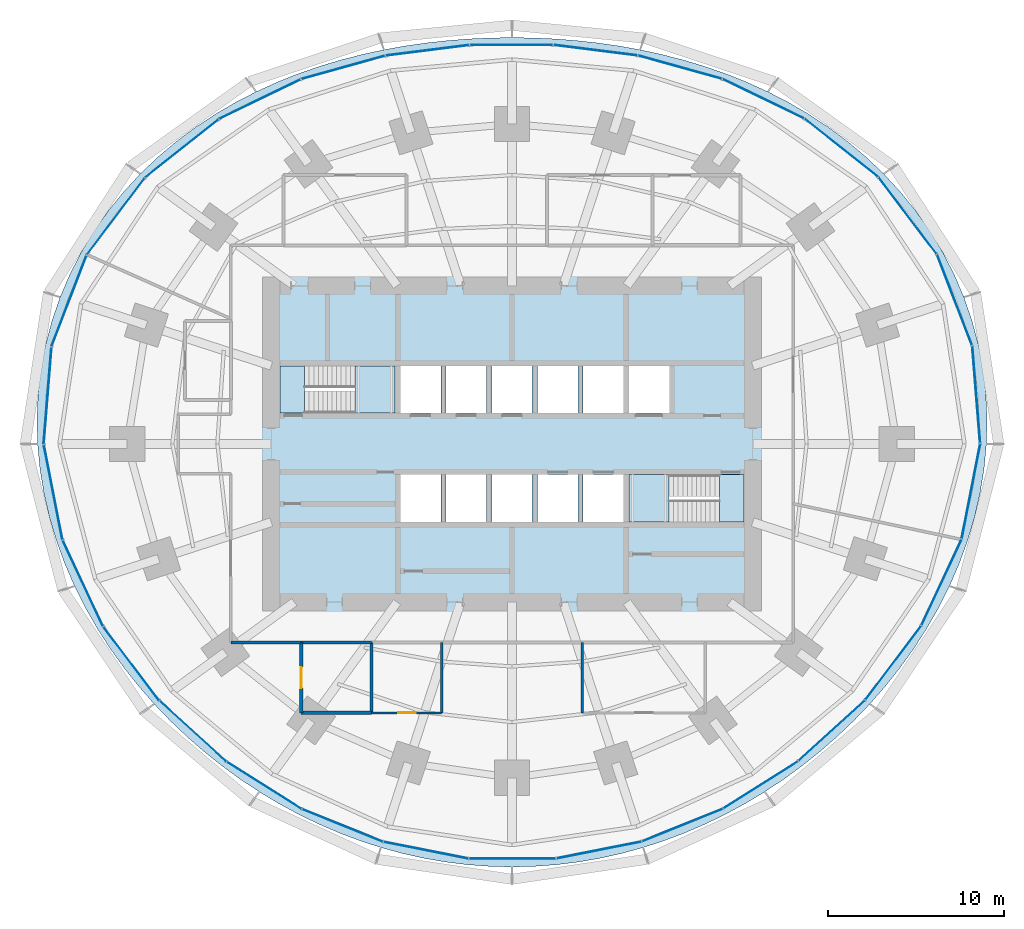
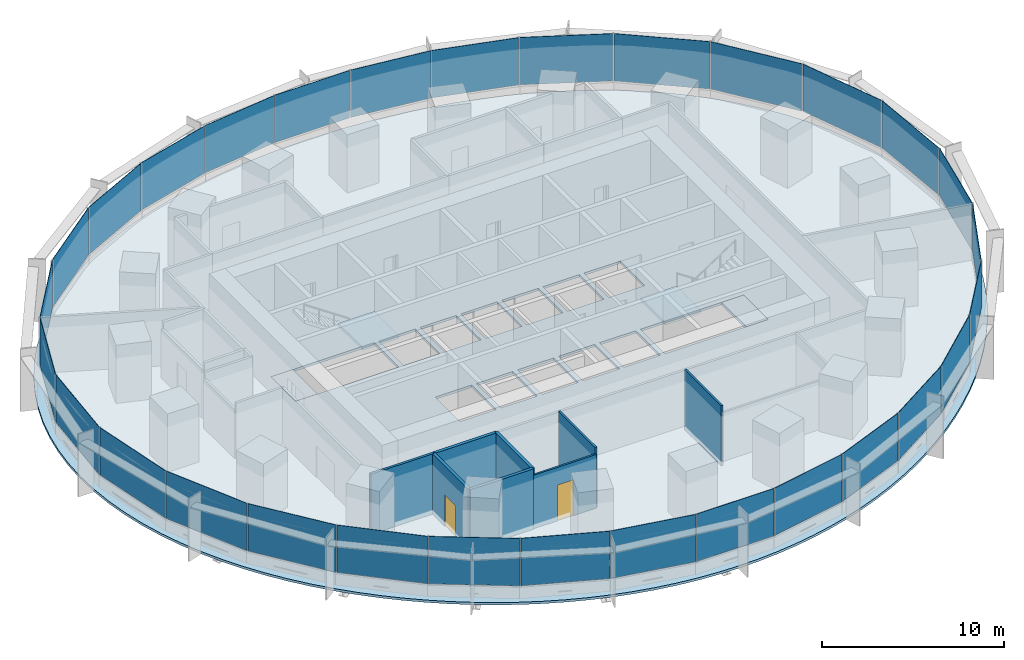
# One storey, part 10 of 15: 30 plates, 8 walls, 5 slabs, 2 doors, 2 openings, 8 elements without a shape of their own.
"""IFC4 building model written with IfcOpenShell, lengths in metres."""

from ifc_helpers import new_model, si_unit, direction, frame, frame_2d, origin, origin_2d, place, context, subcontext, project, spatial, polyline, rectangle, outline, extrude, material, layer, layer_set, type_object, element, fill, aggregate, save


model = new_model("IFC4")

# Units and contexts
model_context = context("Model", 3, precision=1e-05, world=origin(), true_north=direction((0.0, 1.0)))
body_context = subcontext(model_context, "Body", "Model", "MODEL_VIEW")
ifc_project = project(units=[si_unit("LENGTHUNIT", "METRE"), si_unit("AREAUNIT", "SQUARE_METRE"), si_unit("VOLUMEUNIT", "CUBIC_METRE"), si_unit("PLANEANGLEUNIT", "RADIAN"), si_unit("MASSUNIT", "GRAM", prefix="KILO")], contexts=[model_context])

# Site, building, storey
site_placement = place(None, origin())
site = spatial("IfcSite", under=ifc_project, at=site_placement, CompositionType="ELEMENT")
building_placement = place(site_placement, origin())
building = spatial("IfcBuilding", under=site, at=building_placement, Name="Marramba Exchange Tower", CompositionType="ELEMENT")
storey_placement = place(building_placement, frame((0.0, 0.0, 36.39990234375)))
storey = spatial("IfcBuildingStorey", under=building, at=storey_placement, Name="L08", CompositionType="ELEMENT", Elevation=36.39990234375)

# Slab
ifc_material_1 = material(Name="Concrete N40", Category="concrete")
ifc_layer_1 = layer(ifc_material_1, 0.159912109375)
ifc_layer_set_1 = layer_set([ifc_layer_1], Name="Composite floor slab 160")
slab_type_1 = type_object("IfcSlabType", Name="Composite floor slab 160", PredefinedType="FLOOR", material=ifc_layer_set_1)
slab_1_placement = place(storey_placement, frame((0.0, 0.0, -0.159912109375)))
element("IfcSlab", 1, at=slab_1_placement, inside=storey, type_object=slab_type_1, Name="Floor slab L08", PredefinedType="FLOOR", context=body_context, shape_type="SweptSolid", body=[
    extrude(outline(polyline([(27.0, 0.0), (27.035888671875, 1.4169921875), (26.97265625, 2.8349609375), (26.80859375, 4.24609375), (26.5439453125, 5.64208984375), (26.179443359375, 7.0146484375), (25.717529296875, 8.356201171875), (25.16162109375, 9.65869140625), (24.516357421875, 10.915283203125), (23.786865234375, 12.1201171875), (22.9794921875, 13.267333984375), (22.10107421875, 14.3525390625), (21.158447265625, 15.37255859375), (20.159423828125, 16.32470703125), (19.11083984375, 17.20751953125), (18.020263671875, 18.020263671875), (16.89453125, 18.763427734375), (15.740478515625, 19.437744140625), (14.563720703125, 20.04541015625), (13.3701171875, 20.588134765625), (12.164306640625, 21.069091796875), (10.9501953125, 21.4912109375), (9.7314453125, 21.857421875), (8.5107421875, 22.1708984375), (7.289794921875, 22.435302734375), (6.06982421875, 22.6533203125), (4.85205078125, 22.827392578125), (3.636474609375, 22.96044921875), (2.423095703125, 23.053955078125), (1.211181640625, 23.109619140625), (0.0, 23.1279296875), (-1.211181640625, 23.109619140625), (-2.423095703125, 23.053955078125), (-3.636474609375, 22.96044921875), (-4.85205078125, 22.827392578125), (-6.06982421875, 22.6533203125), (-7.289794921875, 22.435302734375), (-8.5107421875, 22.1708984375), (-9.7314453125, 21.857421875), (-10.9501953125, 21.4912109375), (-12.164306640625, 21.069091796875), (-13.3701171875, 20.588134765625), (-14.563720703125, 20.04541015625), (-15.740478515625, 19.437744140625), (-16.89453125, 18.763427734375), (-18.020263671875, 18.020263671875), (-19.11083984375, 17.20751953125), (-20.159423828125, 16.32470703125), (-21.158447265625, 15.37255859375), (-22.10107421875, 14.3525390625), (-22.9794921875, 13.267333984375), (-23.786865234375, 12.1201171875), (-24.516357421875, 10.915283203125), (-25.16162109375, 9.65869140625), (-25.717529296875, 8.356201171875), (-26.179443359375, 7.0146484375), (-26.5439453125, 5.64208984375), (-26.80859375, 4.24609375), (-26.97265625, 2.8349609375), (-27.035888671875, 1.4169921875), (-27.0, 0.0), (-26.8671875, -1.407958984375), (-26.64111328125, -2.800048828125), (-26.326171875, -4.169677734375), (-25.927001953125, -5.510986328125), (-25.44921875, -6.819091796875), (-24.8984375, -8.090087890625), (-24.280517578125, -9.320556640625), (-23.60107421875, -10.5078125), (-22.865234375, -11.650390625), (-22.078369140625, -12.7470703125), (-21.244873046875, -13.796630859375), (-20.36865234375, -14.798583984375), (-19.453369140625, -15.753173828125), (-18.502197265625, -16.659423828125), (-17.517578125, -17.517578125), (-16.501953125, -18.327392578125), (-15.457275390625, -19.088134765625), (-14.385009765625, -19.799072265625), (-13.286865234375, -20.459716796875), (-12.164306640625, -21.069091796875), (-11.01904296875, -21.6259765625), (-9.8525390625, -22.129150390625), (-8.66650390625, -22.577392578125), (-7.463134765625, -22.968994140625), (-6.244140625, -23.30322265625), (-5.01171875, -23.578369140625), (-3.7685546875, -23.793701171875), (-2.51708984375, -23.947998046875), (-1.260009765625, -24.041015625), (0.0, -24.072021484375), (1.260009765625, -24.041015625), (2.51708984375, -23.947998046875), (3.7685546875, -23.793701171875), (5.01171875, -23.578369140625), (6.244140625, -23.30322265625), (7.463134765625, -22.968994140625), (8.66650390625, -22.577392578125), (9.8525390625, -22.129150390625), (11.01904296875, -21.6259765625), (12.164306640625, -21.069091796875), (13.286865234375, -20.459716796875), (14.385009765625, -19.799072265625), (15.457275390625, -19.088134765625), (16.501953125, -18.327392578125), (17.517578125, -17.517578125), (18.502197265625, -16.659423828125), (19.453369140625, -15.753173828125), (20.36865234375, -14.798583984375), (21.244873046875, -13.796630859375), (22.078369140625, -12.7470703125), (22.865234375, -11.650390625), (23.60107421875, -10.5078125), (24.280517578125, -9.320556640625), (24.8984375, -8.090087890625), (25.44921875, -6.819091796875), (25.927001953125, -5.510986328125), (26.326171875, -4.169677734375), (26.64111328125, -2.800048828125), (26.8671875, -1.407958984375), (27.0, 0.0)]), holes=[polyline([(-6.35009765625, 1.75), (-4.050048828125, 1.75), (-4.050048828125, 4.449951171875), (-6.35009765625, 4.449951171875), (-6.35009765625, 1.75)]), polyline([(-3.75, 1.75), (-1.449951171875, 1.75), (-1.449951171875, 4.449951171875), (-3.75, 4.449951171875), (-3.75, 1.75)]), polyline([(-1.14990234375, 1.75), (1.14990234375, 1.75), (1.14990234375, 4.449951171875), (-1.14990234375, 4.449951171875), (-1.14990234375, 1.75)]), polyline([(1.449951171875, 1.75), (3.75, 1.75), (3.75, 4.449951171875), (1.449951171875, 4.449951171875), (1.449951171875, 1.75)]), polyline([(4.050048828125, 1.75), (6.35009765625, 1.75), (6.35009765625, 4.449951171875), (4.050048828125, 4.449951171875), (4.050048828125, 1.75)]), polyline([(-6.35009765625, -4.449951171875), (-4.050048828125, -4.449951171875), (-4.050048828125, -1.75), (-6.35009765625, -1.75), (-6.35009765625, -4.449951171875)]), polyline([(-3.75, -4.449951171875), (-1.449951171875, -4.449951171875), (-1.449951171875, -1.75), (-3.75, -1.75), (-3.75, -4.449951171875)]), polyline([(-1.14990234375, -4.449951171875), (1.14990234375, -4.449951171875), (1.14990234375, -1.75), (-1.14990234375, -1.75), (-1.14990234375, -4.449951171875)]), polyline([(1.449951171875, -4.449951171875), (3.75, -4.449951171875), (3.75, -1.75), (1.449951171875, -1.75), (1.449951171875, -4.449951171875)]), polyline([(4.050048828125, -4.449951171875), (6.35009765625, -4.449951171875), (6.35009765625, -1.75), (4.050048828125, -1.75), (4.050048828125, -4.449951171875)]), polyline([(6.64990234375, 1.75), (8.949951171875, 1.75), (8.949951171875, 4.449951171875), (6.64990234375, 4.449951171875), (6.64990234375, 1.75)]), polyline([(-13.199951171875, 1.75), (-6.64990234375, 1.75), (-6.64990234375, 4.449951171875), (-13.199951171875, 4.449951171875), (-13.199951171875, 1.75)]), polyline([(6.64990234375, -4.449951171875), (13.199951171875, -4.449951171875), (13.199951171875, -1.75), (6.64990234375, -1.75), (6.64990234375, -4.449951171875)])]), origin(), (0.0, 0.0, 1.0), 0.159912109375),
])

# Stair, slabs
ifc_material_2 = material(Name="Concrete N40 (40 MPa)", Category="concrete")
stair_type_1 = type_object("IfcStairType", Name="Exit stair ST1 4200 x 1250", PredefinedType="HALF_TURN_STAIR", material=ifc_material_2)
stair_1_placement = place(storey_placement, origin())
stair_1 = element("IfcStair", 2, at=stair_1_placement, inside=storey, type_object=stair_type_1, Name="Exit stair ST1 L08", PredefinedType="HALF_TURN_STAIR")
ifc_layer_2 = layer(ifc_material_2, 0.199951171875)
ifc_layer_set_2 = layer_set([ifc_layer_2], Name="Stair landing 200")
slab_type_2 = type_object("IfcSlabType", Name="Stair landing 200", PredefinedType="LANDING", material=ifc_layer_set_2)
slab_2_placement = place(storey_placement, frame((0.0, 0.0, -0.199951171875)))
slab_2 = element("IfcSlab", 3, at=slab_2_placement, type_object=slab_type_2, Name="ST1 landing 1", PredefinedType="LANDING", context=body_context, shape_type="SweptSolid", body=[
    extrude(outline(polyline([(-13.199951171875, 1.75), (-11.800048828125, 1.75), (-11.800048828125, 4.449951171875), (-13.199951171875, 4.449951171875), (-13.199951171875, 1.75)])), origin(), (0.0, 0.0, 1.0), 0.199951171875),
])
slab_3_placement = place(storey_placement, frame((0.0, 0.0, 1.900146484375)))
slab_3 = element("IfcSlab", 4, at=slab_3_placement, type_object=slab_type_2, Name="ST1 landing 2", PredefinedType="LANDING", context=body_context, shape_type="SweptSolid", body=[
    extrude(outline(polyline([(-8.93994140625, 1.75), (-6.64990234375, 1.75), (-6.64990234375, 4.449951171875), (-8.93994140625, 4.449951171875), (-8.93994140625, 1.75)])), origin(), (0.0, 0.0, 1.0), 0.199951171875),
])
aggregate(stair_1, [slab_2, slab_3])

stair_type_2 = type_object("IfcStairType", Name="Exit stair ST2 4200 x 1250", PredefinedType="HALF_TURN_STAIR", material=ifc_material_2)
stair_2_placement = place(storey_placement, origin())
stair_2 = element("IfcStair", 5, at=stair_2_placement, inside=storey, type_object=stair_type_2, Name="Exit stair ST2 L08", PredefinedType="HALF_TURN_STAIR")
slab_4_placement = place(storey_placement, frame((0.0, 0.0, -0.199951171875)))
slab_4 = element("IfcSlab", 6, at=slab_4_placement, type_object=slab_type_2, Name="ST2 landing 1", PredefinedType="LANDING", context=body_context, shape_type="SweptSolid", body=[
    extrude(outline(polyline([(11.800048828125, -4.449951171875), (13.199951171875, -4.449951171875), (13.199951171875, -1.75), (11.800048828125, -1.75), (11.800048828125, -4.449951171875)])), origin(), (0.0, 0.0, 1.0), 0.199951171875),
])
slab_5_placement = place(storey_placement, frame((0.0, 0.0, 1.900146484375)))
slab_5 = element("IfcSlab", 7, at=slab_5_placement, type_object=slab_type_2, Name="ST2 landing 2", PredefinedType="LANDING", context=body_context, shape_type="SweptSolid", body=[
    extrude(outline(polyline([(6.64990234375, -4.449951171875), (8.93994140625, -4.449951171875), (8.93994140625, -1.75), (6.64990234375, -1.75), (6.64990234375, -4.449951171875)])), origin(), (0.0, 0.0, 1.0), 0.199951171875),
])
aggregate(stair_2, [slab_4, slab_5])

# Curtain wall, plates
ifc_material_3 = material(Name="Aluminium framing, bronze anodised", Category="aluminium")
curtain_wall_type = type_object("IfcCurtainWallType", Name="Trading floor ribbon curtain wall", PredefinedType="USERDEFINED", material=ifc_material_3)
curtain_wall_1_placement = place(storey_placement, origin())
curtain_wall_1 = element("IfcCurtainWall", 8, at=curtain_wall_1_placement, inside=storey, type_object=curtain_wall_type, Name="Curtain wall CW3 L08 F01-F05", ObjectType="RIBBON CURTAIN WALL", PredefinedType="USERDEFINED")
ifc_material_4 = material(Name="Double glazed unit 10 + 12 + 8.76, bronze tinted", Category="glass")
ifc_layer_3 = layer(ifc_material_4, 0.03076171875)
ifc_layer_set_3 = layer_set([ifc_layer_3], Name="Trading floor ribbon curtain wall panel")
plate_type = type_object("IfcPlateType", Name="Trading floor ribbon curtain wall panel", PredefinedType="CURTAIN_PANEL", material=ifc_layer_set_3)
plate_1_placement = place(storey_placement, frame((26.42333984375, 2.814453125, 0.8603515625), z_axis=(0.0, 0.0, 1.0), x_axis=(-0.080275225953, 0.996772736434, 0.0)))
plate_1 = element("IfcPlate", 9, at=plate_1_placement, type_object=plate_type, Name="CW3 vision panel", PredefinedType="CURTAIN_PANEL", context=body_context, shape_type="SweptSolid", body=[
    extrude(rectangle(XDim=5.52734375, YDim=0.03076171875, at=origin_2d()), origin(), (0.0, 0.0, 1.0), 3.179931640625),
])
plate_2_placement = place(storey_placement, frame((25.188232421875, 8.19921875, 0.8603515625), z_axis=(0.0, 0.0, 1.0), x_axis=(-0.359525510698, 0.933135256626, 0.0)))
plate_2 = element("IfcPlate", 10, at=plate_2_placement, type_object=plate_type, Name="CW3 vision panel", PredefinedType="CURTAIN_PANEL", context=body_context, shape_type="SweptSolid", body=[
    extrude(rectangle(XDim=5.5166015625, YDim=0.03076171875, at=origin_2d()), origin(), (0.0, 0.0, 1.0), 3.179931640625),
])
plate_3_placement = place(storey_placement, frame((22.517822265625, 12.993896484375, 0.8603515625), z_axis=(0.0, 0.0, 1.0), x_axis=(-0.602989765036, 0.797748922445, 0.0)))
plate_3 = element("IfcPlate", 11, at=plate_3_placement, type_object=plate_type, Name="CW3 vision panel", PredefinedType="CURTAIN_PANEL", context=body_context, shape_type="SweptSolid", body=[
    extrude(rectangle(XDim=5.44775390625, YDim=0.03076171875, at=origin_2d()), origin(), (0.0, 0.0, 1.0), 3.179931640625),
])
plate_4_placement = place(storey_placement, frame((18.744384765625, 16.853759765625, 0.8603515625), z_axis=(0.0, 0.0, 1.0), x_axis=(-0.784087949432, 0.620649730166, 0.0)))
plate_4 = element("IfcPlate", 12, at=plate_4_placement, type_object=plate_type, Name="CW3 vision panel", PredefinedType="CURTAIN_PANEL", context=body_context, shape_type="SweptSolid", body=[
    extrude(rectangle(XDim=5.315673828125, YDim=0.03076171875, at=origin_2d()), origin(), (0.0, 0.0, 1.0), 3.179931640625),
])
plate_5_placement = place(storey_placement, frame((14.2978515625, 19.647705078125, 0.8603515625), z_axis=(0.0, 0.0, 1.0), x_axis=(-0.899963433508, 0.43596538664, 0.0)))
plate_5 = element("IfcPlate", 13, at=plate_5_placement, type_object=plate_type, Name="CW3 vision panel", PredefinedType="CURTAIN_PANEL", context=body_context, shape_type="SweptSolid", body=[
    extrude(rectangle(XDim=5.13037109375, YDim=0.03076171875, at=origin_2d()), origin(), (0.0, 0.0, 1.0), 3.179931640625),
])
aggregate(curtain_wall_1, [plate_1, plate_2, plate_3, plate_4, plate_5])

curtain_wall_2_placement = place(storey_placement, origin())
curtain_wall_2 = element("IfcCurtainWall", 14, at=curtain_wall_2_placement, inside=storey, type_object=curtain_wall_type, Name="Curtain wall CW3 L08 F06-F10", ObjectType="RIBBON CURTAIN WALL", PredefinedType="USERDEFINED")
plate_6_placement = place(storey_placement, frame((9.556396484375, 21.4423828125, 0.8603515625), z_axis=(0.0, 0.0, 1.0), x_axis=(-0.963472096649, 0.267808735815, 0.0)))
plate_6 = element("IfcPlate", 15, at=plate_6_placement, type_object=plate_type, Name="CW3 vision panel", PredefinedType="CURTAIN_PANEL", context=body_context, shape_type="SweptSolid", body=[
    extrude(rectangle(XDim=4.929931640625, YDim=0.03076171875, at=origin_2d()), origin(), (0.0, 0.0, 1.0), 3.179931640625),
])
plate_7_placement = place(storey_placement, frame((4.754150390625, 22.407958984375, 0.8603515625), z_axis=(0.0, 0.0, 1.0), x_axis=(-0.992172768738, 0.124872723099, 0.0)))
plate_7 = element("IfcPlate", 16, at=plate_7_placement, type_object=plate_type, Name="CW3 vision panel", PredefinedType="CURTAIN_PANEL", context=body_context, shape_type="SweptSolid", body=[
    extrude(rectangle(XDim=4.77294921875, YDim=0.03076171875, at=origin_2d()), origin(), (0.0, 0.0, 1.0), 3.179931640625),
])
plate_8_placement = place(storey_placement, frame((-0.030029296875, 22.7060546875, 0.8603515625), z_axis=(0.0, 0.0, 1.0), x_axis=(-1.0, 0.0, 0.0)))
plate_8 = element("IfcPlate", 17, at=plate_8_placement, type_object=plate_type, Name="CW3 vision panel", PredefinedType="CURTAIN_PANEL", context=body_context, shape_type="SweptSolid", body=[
    extrude(rectangle(XDim=4.712890625, YDim=0.03076171875, at=origin_2d()), origin(), (0.0, 0.0, 1.0), 3.179931640625),
])
plate_9_placement = place(storey_placement, frame((-4.813720703125, 22.400390625, 0.8603515625), z_axis=(0.0, 0.0, 1.0), x_axis=(-0.992172768738, -0.124872723099, 0.0)))
plate_9 = element("IfcPlate", 18, at=plate_9_placement, type_object=plate_type, Name="CW3 vision panel", PredefinedType="CURTAIN_PANEL", context=body_context, shape_type="SweptSolid", body=[
    extrude(rectangle(XDim=4.77294921875, YDim=0.03076171875, at=origin_2d()), origin(), (0.0, 0.0, 1.0), 3.179931640625),
])
plate_10_placement = place(storey_placement, frame((-9.6142578125, 21.42626953125, 0.8603515625), z_axis=(0.0, 0.0, 1.0), x_axis=(-0.963472096649, -0.267808735815, 0.0)))
plate_10 = element("IfcPlate", 19, at=plate_10_placement, type_object=plate_type, Name="CW3 vision panel", PredefinedType="CURTAIN_PANEL", context=body_context, shape_type="SweptSolid", body=[
    extrude(rectangle(XDim=4.929931640625, YDim=0.03076171875, at=origin_2d()), origin(), (0.0, 0.0, 1.0), 3.179931640625),
])
aggregate(curtain_wall_2, [plate_6, plate_7, plate_8, plate_9, plate_10])

curtain_wall_3_placement = place(storey_placement, origin())
curtain_wall_3 = element("IfcCurtainWall", 20, at=curtain_wall_3_placement, inside=storey, type_object=curtain_wall_type, Name="Curtain wall CW3 L08 F11-F15", ObjectType="RIBBON CURTAIN WALL", PredefinedType="USERDEFINED")
plate_11_placement = place(storey_placement, frame((-14.351806640625, 19.62158203125, 0.8603515625), z_axis=(0.0, 0.0, 1.0), x_axis=(-0.899963433508, -0.43596538664, 0.0)))
plate_11 = element("IfcPlate", 21, at=plate_11_placement, type_object=plate_type, Name="CW3 vision panel", PredefinedType="CURTAIN_PANEL", context=body_context, shape_type="SweptSolid", body=[
    extrude(rectangle(XDim=5.13037109375, YDim=0.03076171875, at=origin_2d()), origin(), (0.0, 0.0, 1.0), 3.179931640625),
])
plate_12_placement = place(storey_placement, frame((-18.79150390625, 16.81640625, 0.8603515625), z_axis=(0.0, 0.0, 1.0), x_axis=(-0.784087949432, -0.620649730166, 0.0)))
plate_12 = element("IfcPlate", 22, at=plate_12_placement, type_object=plate_type, Name="CW3 vision panel", PredefinedType="CURTAIN_PANEL", context=body_context, shape_type="SweptSolid", body=[
    extrude(rectangle(XDim=5.315673828125, YDim=0.03076171875, at=origin_2d()), origin(), (0.0, 0.0, 1.0), 3.179931640625),
])
plate_13_placement = place(storey_placement, frame((-22.553955078125, 12.946044921875, 0.8603515625), z_axis=(0.0, 0.0, 1.0), x_axis=(-0.602989765036, -0.797748922445, 0.0)))
plate_13 = element("IfcPlate", 23, at=plate_13_placement, type_object=plate_type, Name="CW3 vision panel", PredefinedType="CURTAIN_PANEL", context=body_context, shape_type="SweptSolid", body=[
    extrude(rectangle(XDim=5.44775390625, YDim=0.03076171875, at=origin_2d()), origin(), (0.0, 0.0, 1.0), 3.179931640625),
])
plate_14_placement = place(storey_placement, frame((-25.209716796875, 8.14306640625, 0.8603515625), z_axis=(0.0, 0.0, 1.0), x_axis=(-0.359525510698, -0.933135256626, 0.0)))
plate_14 = element("IfcPlate", 24, at=plate_14_placement, type_object=plate_type, Name="CW3 vision panel", PredefinedType="CURTAIN_PANEL", context=body_context, shape_type="SweptSolid", body=[
    extrude(rectangle(XDim=5.5166015625, YDim=0.03076171875, at=origin_2d()), origin(), (0.0, 0.0, 1.0), 3.179931640625),
])
plate_15_placement = place(storey_placement, frame((-26.42822265625, 2.754638671875, 0.8603515625), z_axis=(0.0, 0.0, 1.0), x_axis=(-0.080275225953, -0.996772736434, 0.0)))
plate_15 = element("IfcPlate", 25, at=plate_15_placement, type_object=plate_type, Name="CW3 vision panel", PredefinedType="CURTAIN_PANEL", context=body_context, shape_type="SweptSolid", body=[
    extrude(rectangle(XDim=5.52734375, YDim=0.03076171875, at=origin_2d()), origin(), (0.0, 0.0, 1.0), 3.179931640625),
])
aggregate(curtain_wall_3, [plate_11, plate_12, plate_13, plate_14, plate_15])

curtain_wall_4_placement = place(storey_placement, origin())
curtain_wall_4 = element("IfcCurtainWall", 26, at=curtain_wall_4_placement, inside=storey, type_object=curtain_wall_type, Name="Curtain wall CW3 L08 F16-F20", ObjectType="RIBBON CURTAIN WALL", PredefinedType="USERDEFINED")
plate_16_placement = place(storey_placement, frame((-26.111572265625, -2.74853515625, 0.8603515625), z_axis=(0.0, 0.0, 1.0), x_axis=(0.1922485756, -0.981346261612, 0.0)))
plate_16 = element("IfcPlate", 27, at=plate_16_placement, type_object=plate_type, Name="CW3 vision panel", PredefinedType="CURTAIN_PANEL", context=body_context, shape_type="SweptSolid", body=[
    extrude(rectangle(XDim=5.4814453125, YDim=0.03076171875, at=origin_2d()), origin(), (0.0, 0.0, 1.0), 3.179931640625),
])
plate_17_placement = place(storey_placement, frame((-24.420166015625, -7.928955078125, 0.8603515625), z_axis=(0.0, 0.0, 1.0), x_axis=(0.423477206492, -0.905906758768, 0.0)))
plate_17 = element("IfcPlate", 28, at=plate_17_placement, type_object=plate_type, Name="CW3 vision panel", PredefinedType="CURTAIN_PANEL", context=body_context, shape_type="SweptSolid", body=[
    extrude(rectangle(XDim=5.379150390625, YDim=0.03076171875, at=origin_2d()), origin(), (0.0, 0.0, 1.0), 3.179931640625),
])
plate_18_placement = place(storey_placement, frame((-21.665283203125, -12.503173828125, 0.8603515625), z_axis=(0.0, 0.0, 1.0), x_axis=(0.603040473588, -0.797710591138, 0.0)))
plate_18 = element("IfcPlate", 29, at=plate_18_placement, type_object=plate_type, Name="CW3 vision panel", PredefinedType="CURTAIN_PANEL", context=body_context, shape_type="SweptSolid", body=[
    extrude(rectangle(XDim=5.239501953125, YDim=0.03076171875, at=origin_2d()), origin(), (0.0, 0.0, 1.0), 3.179931640625),
])
plate_19_placement = place(storey_placement, frame((-18.154541015625, -16.350341796875, 0.8603515625), z_axis=(0.0, 0.0, 1.0), x_axis=(0.739589581463, -0.673058133441, 0.0)))
plate_19 = element("IfcPlate", 30, at=plate_19_placement, type_object=plate_type, Name="CW3 vision panel", PredefinedType="CURTAIN_PANEL", context=body_context, shape_type="SweptSolid", body=[
    extrude(rectangle(XDim=5.101806640625, YDim=0.03076171875, at=origin_2d()), origin(), (0.0, 0.0, 1.0), 3.179931640625),
])
plate_20_placement = place(storey_placement, frame((-14.103271484375, -19.4326171875, 0.8603515625), z_axis=(0.0, 0.0, 1.0), x_axis=(0.845790826298, -0.533514646612, 0.0)))
plate_20 = element("IfcPlate", 31, at=plate_20_placement, type_object=plate_type, Name="CW3 vision panel", PredefinedType="CURTAIN_PANEL", context=body_context, shape_type="SweptSolid", body=[
    extrude(rectangle(XDim=4.99853515625, YDim=0.03076171875, at=origin_2d()), origin(), (0.0, 0.0, 1.0), 3.179931640625),
])
aggregate(curtain_wall_4, [plate_16, plate_17, plate_18, plate_19, plate_20])

curtain_wall_5_placement = place(storey_placement, origin())
curtain_wall_5 = element("IfcCurtainWall", 32, at=curtain_wall_5_placement, inside=storey, type_object=curtain_wall_type, Name="Curtain wall CW3 L08 F21-F25", ObjectType="RIBBON CURTAIN WALL", PredefinedType="USERDEFINED")
plate_21_placement = place(storey_placement, frame((-9.644287109375, -21.71240234375, 0.8603515625), z_axis=(0.0, 0.0, 1.0), x_axis=(0.927340673283, -0.374218219325, 0.0)))
plate_21 = element("IfcPlate", 33, at=plate_21_placement, type_object=plate_type, Name="CW3 vision panel", PredefinedType="CURTAIN_PANEL", context=body_context, shape_type="SweptSolid", body=[
    extrude(rectangle(XDim=4.9375, YDim=0.03076171875, at=origin_2d()), origin(), (0.0, 0.0, 1.0), 3.179931640625),
])
plate_22_placement = place(storey_placement, frame((-4.88818359375, -23.1240234375, 0.8603515625), z_axis=(0.0, 0.0, 1.0), x_axis=(0.98100920064, -0.193961202977, 0.0)))
plate_22 = element("IfcPlate", 34, at=plate_22_placement, type_object=plate_type, Name="CW3 vision panel", PredefinedType="CURTAIN_PANEL", context=body_context, shape_type="SweptSolid", body=[
    extrude(rectangle(XDim=4.908935546875, YDim=0.03076171875, at=origin_2d()), origin(), (0.0, 0.0, 1.0), 3.179931640625),
])
plate_23_placement = place(storey_placement, frame((0.030029296875, -23.599853515625, 0.8603515625), z_axis=(0.0, 0.0, 1.0), x_axis=(1.0, 0.0, 0.0)))
plate_23 = element("IfcPlate", 35, at=plate_23_placement, type_object=plate_type, Name="CW3 vision panel", PredefinedType="CURTAIN_PANEL", context=body_context, shape_type="SweptSolid", body=[
    extrude(rectangle(XDim=4.90087890625, YDim=0.03076171875, at=origin_2d()), origin(), (0.0, 0.0, 1.0), 3.179931640625),
])
plate_24_placement = place(storey_placement, frame((4.947021484375, -23.1123046875, 0.8603515625), z_axis=(0.0, 0.0, 1.0), x_axis=(0.98100920064, 0.193961202977, 0.0)))
plate_24 = element("IfcPlate", 36, at=plate_24_placement, type_object=plate_type, Name="CW3 vision panel", PredefinedType="CURTAIN_PANEL", context=body_context, shape_type="SweptSolid", body=[
    extrude(rectangle(XDim=4.908935546875, YDim=0.03076171875, at=origin_2d()), origin(), (0.0, 0.0, 1.0), 3.179931640625),
])
plate_25_placement = place(storey_placement, frame((9.699951171875, -21.68994140625, 0.8603515625), z_axis=(0.0, 0.0, 1.0), x_axis=(0.927340673283, 0.374218219325, 0.0)))
plate_25 = element("IfcPlate", 37, at=plate_25_placement, type_object=plate_type, Name="CW3 vision panel", PredefinedType="CURTAIN_PANEL", context=body_context, shape_type="SweptSolid", body=[
    extrude(rectangle(XDim=4.9375, YDim=0.03076171875, at=origin_2d()), origin(), (0.0, 0.0, 1.0), 3.179931640625),
])
aggregate(curtain_wall_5, [plate_21, plate_22, plate_23, plate_24, plate_25])

curtain_wall_6_placement = place(storey_placement, origin())
curtain_wall_6 = element("IfcCurtainWall", 38, at=curtain_wall_6_placement, inside=storey, type_object=curtain_wall_type, Name="Curtain wall CW3 L08 F26-F30", ObjectType="RIBBON CURTAIN WALL", PredefinedType="USERDEFINED")
plate_26_placement = place(storey_placement, frame((14.15380859375, -19.400634765625, 0.8603515625), z_axis=(0.0, 0.0, 1.0), x_axis=(0.845790826298, 0.533514646612, 0.0)))
plate_26 = element("IfcPlate", 39, at=plate_26_placement, type_object=plate_type, Name="CW3 vision panel", PredefinedType="CURTAIN_PANEL", context=body_context, shape_type="SweptSolid", body=[
    extrude(rectangle(XDim=4.99853515625, YDim=0.03076171875, at=origin_2d()), origin(), (0.0, 0.0, 1.0), 3.179931640625),
])
plate_27_placement = place(storey_placement, frame((18.19873046875, -16.309814453125, 0.8603515625), z_axis=(0.0, 0.0, 1.0), x_axis=(0.739589581463, 0.673058133441, 0.0)))
plate_27 = element("IfcPlate", 40, at=plate_27_placement, type_object=plate_type, Name="CW3 vision panel", PredefinedType="CURTAIN_PANEL", context=body_context, shape_type="SweptSolid", body=[
    extrude(rectangle(XDim=5.101806640625, YDim=0.03076171875, at=origin_2d()), origin(), (0.0, 0.0, 1.0), 3.179931640625),
])
plate_28_placement = place(storey_placement, frame((21.701416015625, -12.455322265625, 0.8603515625), z_axis=(0.0, 0.0, 1.0), x_axis=(0.603040473588, 0.797710591138, 0.0)))
plate_28 = element("IfcPlate", 41, at=plate_28_placement, type_object=plate_type, Name="CW3 vision panel", PredefinedType="CURTAIN_PANEL", context=body_context, shape_type="SweptSolid", body=[
    extrude(rectangle(XDim=5.239501953125, YDim=0.03076171875, at=origin_2d()), origin(), (0.0, 0.0, 1.0), 3.179931640625),
])
plate_29_placement = place(storey_placement, frame((24.44580078125, -7.874755859375, 0.8603515625), z_axis=(0.0, 0.0, 1.0), x_axis=(0.423477206492, 0.905906758768, 0.0)))
plate_29 = element("IfcPlate", 42, at=plate_29_placement, type_object=plate_type, Name="CW3 vision panel", PredefinedType="CURTAIN_PANEL", context=body_context, shape_type="SweptSolid", body=[
    extrude(rectangle(XDim=5.379150390625, YDim=0.03076171875, at=origin_2d()), origin(), (0.0, 0.0, 1.0), 3.179931640625),
])
plate_30_placement = place(storey_placement, frame((26.123046875, -2.689697265625, 0.8603515625), z_axis=(0.0, 0.0, 1.0), x_axis=(0.1922485756, 0.981346261612, 0.0)))
plate_30 = element("IfcPlate", 43, at=plate_30_placement, type_object=plate_type, Name="CW3 vision panel", PredefinedType="CURTAIN_PANEL", context=body_context, shape_type="SweptSolid", body=[
    extrude(rectangle(XDim=5.4814453125, YDim=0.03076171875, at=origin_2d()), origin(), (0.0, 0.0, 1.0), 3.179931640625),
])
aggregate(curtain_wall_6, [plate_26, plate_27, plate_28, plate_29, plate_30])

# Wall, opening, door
ifc_material_5 = material(Name="Core-filled concrete blockwork, rendered", Category="masonry")
ifc_layer_4 = layer(ifc_material_5, 0.18994140625)
ifc_layer_set_4 = layer_set([ifc_layer_4], Name="Equipment room wall 190")
wall_type_1 = type_object("IfcWallType", Name="Equipment room wall 190", PredefinedType="SOLIDWALL", material=ifc_layer_set_4)
wall_1_placement = place(storey_placement, frame((-12.0, -11.300048828125, 0.0), z_axis=(0.0, 0.0, 1.0), x_axis=(0.0, -1.0, 0.0)))
wall_1 = element("IfcWall", 44, at=wall_1_placement, inside=storey, type_object=wall_type_1, Name="Equipment room wall L08 04", PredefinedType="SOLIDWALL", context=body_context, shape_type="SweptSolid", body=[
    extrude(rectangle(XDim=4.0, YDim=0.18994140625, at=frame_2d((2.0, 0.0))), origin(), (0.0, 0.0, 1.0), 4.0400390625),
])
opening_1_placement = place(wall_1_placement, frame((1.39990234375, 0.0, 0.0)))
opening_1 = element("IfcOpeningElement", 45, at=opening_1_placement, cuts=wall_1, Name="Opening D16", PredefinedType="OPENING", context=body_context, shape_type="SweptSolid", body=[
    extrude(rectangle(XDim=1.199951171875, YDim=2.10009765625, at=frame_2d((0.60009765625, 1.050048828125))), frame((0.0, 0.10498046875, 0.0), z_axis=(0.0, -1.0, 0.0), x_axis=(1.0, 0.0, 0.0)), (0.0, 0.0, 1.0), 0.2099609375),
])
ifc_material_6 = material(Name="Steel-framed door", Category="steel")
door_type_1 = type_object("IfcDoorType", Name="Equipment room door 1200x2100", OperationType="SINGLE_SWING_LEFT", PredefinedType="DOOR", material=ifc_material_6)
door_1_placement = place(opening_1_placement, origin())
door_1 = element("IfcDoor", 46, at=door_1_placement, inside=storey, type_object=door_type_1, Name="D16 Data Room 2 L08", OperationType="SINGLE_SWING_RIGHT", OverallHeight=2.10009765625, OverallWidth=1.199951171875, PredefinedType="DOOR", context=body_context, shape_type="SweptSolid", body=[
    extrude(rectangle(XDim=1.199951171875, YDim=2.10009765625, at=frame_2d((0.60009765625, 1.050048828125))), frame((0.0, 0.02490234375, 0.0), z_axis=(0.0, -1.0, 0.0), x_axis=(1.0, 0.0, 0.0)), (0.0, 0.0, 1.0), 0.050048828125),
])
fill(opening_1, door_1)

# Walls
for number, where, z_axis, x_axis, name in (
    (47, (-8.0, -11.300048828125, 0.0), (0.0, 0.0, 1.0), (-1.0, 0.0, 0.0), "Equipment room wall L08 05"),
    (48, (-12.0, -15.300048828125, 0.0), (0.0, 0.0, 1.0), (1.0, 0.0, 0.0), "Equipment room wall L08 06"),
    (49, (-8.0, -11.300048828125, 0.0), (0.0, 0.0, 1.0), (0.0, -1.0, 0.0), "Equipment room wall L08 07"),
):
    element("IfcWall", number, at=place(storey_placement, frame(where, z_axis=z_axis, x_axis=x_axis)), inside=storey, type_object=wall_type_1, Name=name, PredefinedType="SOLIDWALL", context=body_context, shape_type="SweptSolid", body=[
        extrude(rectangle(XDim=4.0, YDim=0.18994140625, at=frame_2d((2.0, 0.0))), origin(), (0.0, 0.0, 1.0), 4.0400390625),
    ])

# Wall, opening, door
ifc_material_7 = material(Name="Plasterboard on steel studs", Category="steel")
ifc_layer_5 = layer(ifc_material_7, 0.1201171875)
ifc_layer_set_5 = layer_set([ifc_layer_5], Name="Partition 120")
wall_type_2 = type_object("IfcWallType", Name="Partition 120", PredefinedType="PARTITIONING", material=ifc_layer_set_5)
wall_2_placement = place(storey_placement, frame((-8.0, -15.300048828125, 0.0), z_axis=(0.0, 0.0, 1.0), x_axis=(1.0, 0.0, 0.0)))
wall_2 = element("IfcWall", 50, at=wall_2_placement, inside=storey, type_object=wall_type_2, Name="Partition L08 08", PredefinedType="PARTITIONING", context=body_context, shape_type="SweptSolid", body=[
    extrude(rectangle(XDim=4.0, YDim=0.1201171875, at=frame_2d((2.0, 0.0))), origin(), (0.0, 0.0, 1.0), 3.586181640625),
])
opening_2_placement = place(wall_2_placement, frame((1.52587890625, 0.0, 0.0)))
opening_2 = element("IfcOpeningElement", 51, at=opening_2_placement, cuts=wall_2, Name="Opening D9", PredefinedType="OPENING", context=body_context, shape_type="SweptSolid", body=[
    extrude(rectangle(XDim=1.0, YDim=2.39990234375, at=frame_2d((0.5, 1.199951171875))), frame((0.0, 0.070068359375, 0.0), z_axis=(0.0, -1.0, 0.0), x_axis=(1.0, 0.0, 0.0)), (0.0, 0.0, 1.0), 0.14013671875),
])
ifc_material_8 = material(Name="Timber door", Category="wood")
door_type_2 = type_object("IfcDoorType", Name="Room door 1000x2400", OperationType="SINGLE_SWING_LEFT", PredefinedType="DOOR", material=ifc_material_8)
door_2_placement = place(opening_2_placement, origin())
door_2 = element("IfcDoor", 52, at=door_2_placement, inside=storey, type_object=door_type_2, Name="D9 Print Room L08", OperationType="SINGLE_SWING_RIGHT", OverallHeight=2.39990234375, OverallWidth=1.0, PredefinedType="DOOR", context=body_context, shape_type="SweptSolid", body=[
    extrude(rectangle(XDim=1.0, YDim=2.39990234375, at=frame_2d((0.5, 1.199951171875))), frame((0.0, 0.02490234375, 0.0), z_axis=(0.0, -1.0, 0.0), x_axis=(1.0, 0.0, 0.0)), (0.0, 0.0, 1.0), 0.050048828125),
])
fill(opening_2, door_2)

# Walls
for number, where, z_axis, x_axis, name in (
    (53, (-4.0, -15.300048828125, 0.0), (0.0, 0.0, 1.0), (0.0, 1.0, 0.0), "Partition L08 09"),
    (54, (4.0, -11.300048828125, 0.0), (0.0, 0.0, 1.0), (0.0, -1.0, 0.0), "Partition L08 10"),
):
    element("IfcWall", number, at=place(storey_placement, frame(where, z_axis=z_axis, x_axis=x_axis)), inside=storey, type_object=wall_type_2, Name=name, PredefinedType="PARTITIONING", context=body_context, shape_type="SweptSolid", body=[
        extrude(rectangle(XDim=4.0, YDim=0.1201171875, at=frame_2d((2.0, 0.0))), origin(), (0.0, 0.0, 1.0), 4.0400390625),
    ])
ifc_material_9 = material(Name="Fire-rated plasterboard on steel studs, acoustic insulation", Category="steel")
ifc_layer_6 = layer(ifc_material_9, 0.14990234375)
ifc_layer_set_6 = layer_set([ifc_layer_6], Name="Tenancy wall 150")
wall_type_3 = type_object("IfcWallType", Name="Tenancy wall 150", PredefinedType="PARTITIONING", material=ifc_layer_set_6)
wall_3_placement = place(storey_placement, frame((-16.0, -11.300048828125, 0.0), z_axis=(0.0, 0.0, 1.0), x_axis=(1.0, 0.0, 0.0)))
element("IfcWall", 55, at=wall_3_placement, inside=storey, type_object=wall_type_3, Name="Tenancy wall L08 03", PredefinedType="PARTITIONING", context=body_context, shape_type="SweptSolid", body=[
    extrude(rectangle(XDim=4.0, YDim=0.14990234375, at=frame_2d((2.0, 0.0))), origin(), (0.0, 0.0, 1.0), 4.0400390625),
])

save(model, "model.ifc")
